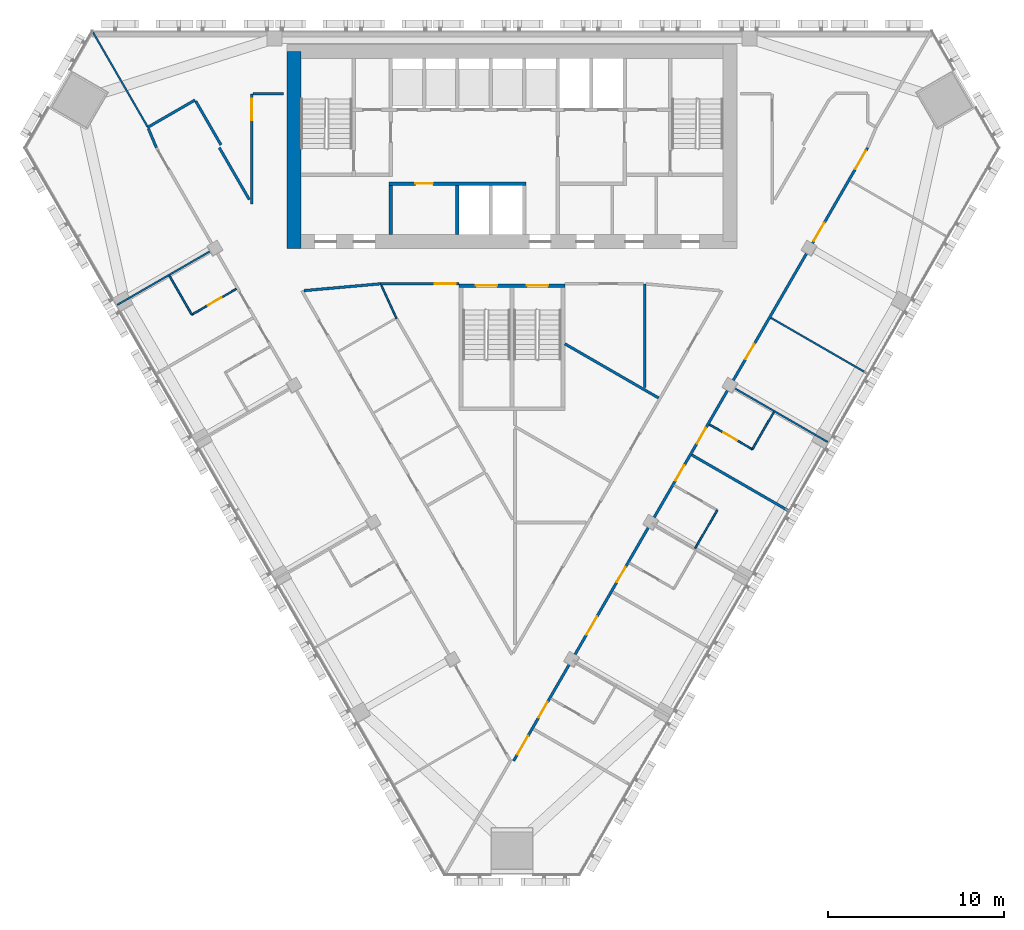
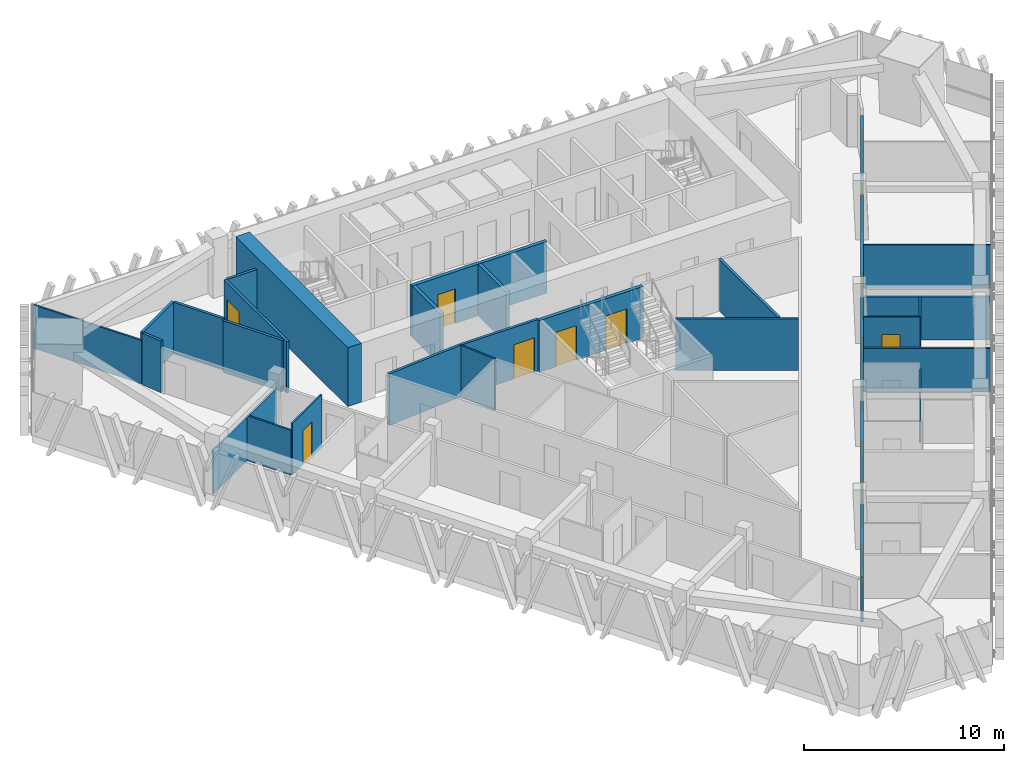
# One storey, part 10 of 16: 27 walls, 16 doors, 16 openings.
"""IFC4 building model written with IfcOpenShell, lengths in metres."""

from ifc_helpers import new_model, si_unit, direction, frame, frame_2d, origin, place, context, subcontext, project, spatial, rectangle, extrude, material, layer, layer_set, type_object, element, fill, save


model = new_model("IFC4")

# Units and contexts
model_context = context("Model", 3, precision=1e-05, world=origin(), true_north=direction((0.0, 1.0)))
body_context = subcontext(model_context, "Body", "Model", "MODEL_VIEW")
ifc_project = project(units=[si_unit("LENGTHUNIT", "METRE"), si_unit("AREAUNIT", "SQUARE_METRE"), si_unit("VOLUMEUNIT", "CUBIC_METRE"), si_unit("PLANEANGLEUNIT", "RADIAN"), si_unit("MASSUNIT", "GRAM", prefix="KILO")], contexts=[model_context])

# Site, building, storey
site_placement = place(None, origin())
site = spatial("IfcSite", under=ifc_project, at=site_placement, CompositionType="ELEMENT")
building_placement = place(site_placement, origin())
building = spatial("IfcBuilding", under=site, at=building_placement, Name="Altiplano Prism Tower", CompositionType="ELEMENT")
storey_placement = place(building_placement, frame((0.0, 0.0, 135.0)))
storey = spatial("IfcBuildingStorey", under=building, at=storey_placement, Name="L34", CompositionType="ELEMENT", Elevation=135.0)

# Wall
ifc_material_1 = material(Name="Concrete C60/75", Category="concrete")
ifc_layer_1 = layer(ifc_material_1, 0.800048828125)
ifc_layer_set_1 = layer_set([ifc_layer_1], Name="Concrete C60/75")
wall_type_1 = type_object("IfcWallType", Name="Core wall 800", PredefinedType="SHEAR", material=ifc_layer_set_1)
wall_1_placement = place(storey_placement, frame((72.60009765625, 103.800048828125, 0.0), z_axis=(0.0, 0.0, 1.0), x_axis=(0.0, -1.0, 0.0)))
element("IfcWall", 1, at=wall_1_placement, inside=storey, type_object=wall_type_1, Name="Core wall W L34", PredefinedType="SHEAR", context=body_context, shape_type="SweptSolid", body=[
    extrude(rectangle(XDim=11.199951171875, YDim=0.800048828125, at=frame_2d((5.60009765625, 0.0))), origin(), (0.0, 0.0, 1.0), 3.60009765625),
])

# Wall, opening, door
ifc_material_2 = material(Name="Plasterboard on steel stud", Category="steel")
ifc_layer_2 = layer(ifc_material_2, 0.10009765625)
ifc_layer_set_2 = layer_set([ifc_layer_2], Name="Plasterboard on steel stud")
wall_type_2 = type_object("IfcWallType", Name="Partition 100 unit", PredefinedType="PARTITIONING", material=ifc_layer_set_2)
wall_2_placement = place(storey_placement, frame((69.327392578125, 90.30859375, 0.0), z_axis=(0.0, 0.0, 1.0), x_axis=(-0.86601045545, -0.500025890382, 0.0)))
wall_2 = element("IfcWall", 2, at=wall_2_placement, inside=storey, type_object=wall_type_2, Name="Partition P02 L34 035", PredefinedType="PARTITIONING", context=body_context, shape_type="SweptSolid", body=[
    extrude(rectangle(XDim=2.925048828125, YDim=0.10009765625, at=frame_2d((1.46240234375, 0.0))), origin(), (0.0, 0.0, 1.0), 3.14990234375),
])
opening_1_placement = place(wall_2_placement, frame((0.97509765625, 0.0, 0.0)))
opening_1 = element("IfcOpeningElement", 3, at=opening_1_placement, cuts=wall_2, Name="Opening D1229", PredefinedType="OPENING", context=body_context, shape_type="SweptSolid", body=[
    extrude(rectangle(XDim=0.89990234375, YDim=2.10009765625, at=frame_2d((0.449951171875, 1.050048828125))), frame((0.0, 0.060546875, 0.0), z_axis=(0.0, -1.0, 0.0), x_axis=(1.0, 0.0, 0.0)), (0.0, 0.0, 1.0), 0.12109375),
])
ifc_material_3 = material(Name="Timber", Category="wood")
door_type_1 = type_object("IfcDoorType", Name="Ensuite door 900 x 2100", OperationType="NOTDEFINED", PredefinedType="NOTDEFINED", material=ifc_material_3)
door_1_placement = place(opening_1_placement, origin())
door_1 = element("IfcDoor", 4, at=door_1_placement, inside=storey, type_object=door_type_1, Name="Door D1229", OperationType="SINGLE_SWING_RIGHT", OverallHeight=2.10009765625, OverallWidth=0.89990234375, PredefinedType="NOTDEFINED", context=body_context, shape_type="SweptSolid", body=[
    extrude(rectangle(XDim=0.89990234375, YDim=2.10009765625, at=frame_2d((0.449951171875, 1.050048828125))), frame((0.0, 0.02490234375, 0.0), z_axis=(0.0, -1.0, 0.0), x_axis=(1.0, 0.0, 0.0)), (0.0, 0.0, 1.0), 0.050048828125),
])
fill(opening_1, door_1)

# Walls
wall_3_placement = place(storey_placement, frame((66.794189453125, 88.845947265625, 0.0), z_axis=(0.0, 0.0, 1.0), x_axis=(-0.499948979701, 0.866054858364, 0.0)))
element("IfcWall", 5, at=wall_3_placement, inside=storey, type_object=wall_type_2, Name="Partition P02 L34 036", PredefinedType="PARTITIONING", context=body_context, shape_type="SweptSolid", body=[
    extrude(rectangle(XDim=2.550048828125, YDim=0.10009765625, at=frame_2d((1.27490234375, 0.0))), origin(), (0.0, 0.0, 1.0), 2.75),
])
wall_4_placement = place(storey_placement, frame((96.669189453125, 77.724365234375, 0.0), z_axis=(0.0, 0.0, 1.0), x_axis=(-0.500004234368, -0.866022959057, 0.0)))
element("IfcWall", 6, at=wall_4_placement, inside=storey, type_object=wall_type_2, Name="Partition P02 L34 058", PredefinedType="PARTITIONING", context=body_context, shape_type="SweptSolid", body=[
    extrude(rectangle(XDim=2.5, YDim=0.10009765625, at=frame_2d((1.25, 0.0))), origin(), (0.0, 0.0, 1.0), 2.75),
])
wall_5_placement = place(storey_placement, frame((99.89404296875, 83.310302734375, 0.0), z_axis=(0.0, 0.0, 1.0), x_axis=(-0.499943856944, -0.866057815567, 0.0)))
element("IfcWall", 7, at=wall_5_placement, inside=storey, type_object=wall_type_2, Name="Partition P02 L34 060", PredefinedType="PARTITIONING", context=body_context, shape_type="SweptSolid", body=[
    extrude(rectangle(XDim=2.449951171875, YDim=0.10009765625, at=frame_2d((1.22509765625, 0.0))), origin(), (0.0, 0.0, 1.0), 2.75),
])

# Wall, opening, door
wall_6_placement = place(storey_placement, frame((98.669189453125, 81.1884765625, 0.0), z_axis=(0.0, 0.0, 1.0), x_axis=(-0.866048868473, 0.499959355765, 0.0)))
wall_6 = element("IfcWall", 8, at=wall_6_placement, inside=storey, type_object=wall_type_2, Name="Partition P02 L34 061", PredefinedType="PARTITIONING", context=body_context, shape_type="SweptSolid", body=[
    extrude(rectangle(XDim=2.824951171875, YDim=0.10009765625, at=frame_2d((1.41259765625, 0.0))), origin(), (0.0, 0.0, 1.0), 3.14990234375),
])
opening_2_placement = place(wall_6_placement, frame((1.0, 0.0, 0.0)))
opening_2 = element("IfcOpeningElement", 9, at=opening_2_placement, cuts=wall_6, Name="Opening D1246", PredefinedType="OPENING", context=body_context, shape_type="SweptSolid", body=[
    extrude(rectangle(XDim=0.89990234375, YDim=2.10009765625, at=frame_2d((0.449951171875, 1.050048828125))), frame((0.0, 0.060546875, 0.0), z_axis=(0.0, -1.0, 0.0), x_axis=(1.0, 0.0, 0.0)), (0.0, 0.0, 1.0), 0.12109375),
])
door_2_placement = place(opening_2_placement, origin())
door_2 = element("IfcDoor", 10, at=door_2_placement, inside=storey, type_object=door_type_1, Name="Door D1246", OperationType="SINGLE_SWING_LEFT", OverallHeight=2.10009765625, OverallWidth=0.89990234375, PredefinedType="NOTDEFINED", context=body_context, shape_type="SweptSolid", body=[
    extrude(rectangle(XDim=0.89990234375, YDim=2.10009765625, at=frame_2d((0.449951171875, 1.050048828125))), frame((0.0, 0.02490234375, 0.0), z_axis=(0.0, -1.0, 0.0), x_axis=(1.0, 0.0, 0.0)), (0.0, 0.0, 1.0), 0.050048828125),
])
fill(opening_2, door_2)

# Walls
ifc_layer_3 = layer(ifc_material_2, 0.10009765625)
ifc_layer_set_3 = layer_set([ifc_layer_3], Name="Plasterboard on steel stud")
wall_type_3 = type_object("IfcWallType", Name="Partition 100 wet", PredefinedType="PARTITIONING", material=ifc_layer_set_3)
wall_7_placement = place(storey_placement, frame((78.432861328125, 88.633544921875, 0.0), z_axis=(0.0, 0.0, 1.0), x_axis=(-0.4178390232, 0.908521078837, 0.0)))
element("IfcWall", 11, at=wall_7_placement, inside=storey, type_object=wall_type_3, Name="Partition P03 L34 024", PredefinedType="PARTITIONING", context=body_context, shape_type="SweptSolid", body=[
    extrude(rectangle(XDim=2.057861328125, YDim=0.10009765625, at=frame_2d((1.02880859375, 0.0))), origin(), (0.0, 0.0, 1.0), 3.14990234375),
])
wall_8_placement = place(storey_placement, frame((62.5498046875, 89.397705078125, 0.0), z_axis=(0.0, 0.0, 1.0), x_axis=(0.866015887322, 0.500016482634, 0.0)))
element("IfcWall", 12, at=wall_8_placement, inside=storey, type_object=wall_type_3, Name="Partition P03 L34 033", PredefinedType="PARTITIONING", context=body_context, shape_type="SweptSolid", body=[
    extrude(rectangle(XDim=6.324951171875, YDim=0.10009765625, at=frame_2d((3.16259765625, 0.0))), origin(), (0.0, 0.0, 1.0), 2.64990234375),
])
wall_9_placement = place(storey_placement, frame((64.292724609375, 99.5, 0.0), z_axis=(0.0, 0.0, 1.0), x_axis=(-0.500004896655, 0.866022576681, 0.0)))
element("IfcWall", 13, at=wall_9_placement, inside=storey, type_object=wall_type_3, Name="Partition P03 L34 034", PredefinedType="PARTITIONING", context=body_context, shape_type="SweptSolid", body=[
    extrude(rectangle(XDim=6.2353515625, YDim=0.10009765625, at=frame_2d((3.11767578125, 0.0))), origin(), (0.0, 0.0, 1.0), 2.64990234375),
])
wall_10_placement = place(storey_placement, frame((102.9501953125, 81.603515625, 0.0), z_axis=(0.0, 0.0, 1.0), x_axis=(-0.866015887322, 0.500016482634, 0.0)))
element("IfcWall", 14, at=wall_10_placement, inside=storey, type_object=wall_type_3, Name="Partition P03 L34 062", PredefinedType="PARTITIONING", context=body_context, shape_type="SweptSolid", body=[
    extrude(rectangle(XDim=6.324951171875, YDim=0.10009765625, at=frame_2d((3.16259765625, 0.0))), origin(), (0.0, 0.0, 1.0), 2.64990234375),
])
wall_11_placement = place(storey_placement, frame((105.2177734375, 85.490478515625, 0.0), z_axis=(0.0, 0.0, 1.0), x_axis=(-0.866025401434, 0.500000004071, 0.0)))
element("IfcWall", 15, at=wall_11_placement, inside=storey, type_object=wall_type_3, Name="Partition P03 L34 063", PredefinedType="PARTITIONING", context=body_context, shape_type="SweptSolid", body=[
    extrude(rectangle(XDim=6.34521484375, YDim=0.10009765625, at=frame_2d((3.172607421875, 0.0))), origin(), (0.0, 0.0, 1.0), 2.64990234375),
])
ifc_layer_4 = layer(ifc_material_2, 0.14990234375)
ifc_layer_set_4 = layer_set([ifc_layer_4], Name="Plasterboard on steel stud")
wall_type_4 = type_object("IfcWallType", Name="Partition 150 corridor", PredefinedType="PARTITIONING", material=ifc_layer_set_4)
wall_12_placement = place(storey_placement, frame((73.17333984375, 90.21044921875, 0.0), z_axis=(0.0, 0.0, 1.0), x_axis=(0.996042384303, 0.088879517729, 0.0)))
element("IfcWall", 16, at=wall_12_placement, inside=storey, type_object=wall_type_4, Name="Partition P06 L34 001", PredefinedType="PARTITIONING", context=body_context, shape_type="SweptSolid", body=[
    extrude(rectangle(XDim=4.373046875, YDim=0.14990234375, at=frame_2d((2.1865234375, 0.0))), origin(), (0.0, 0.0, 1.0), 3.14990234375),
])
wall_13_placement = place(storey_placement, frame((64.3212890625, 99.431396484375, 0.0), z_axis=(0.0, 0.0, 1.0), x_axis=(0.385435693092, -0.92273469995, 0.0)))
element("IfcWall", 17, at=wall_13_placement, inside=storey, type_object=wall_type_4, Name="Partition P06 L34 003", PredefinedType="PARTITIONING", context=body_context, shape_type="SweptSolid", body=[
    extrude(rectangle(XDim=1.18310546875, YDim=0.14990234375, at=frame_2d((0.591552734375, 0.0))), origin(), (0.0, 0.0, 1.0), 3.14990234375),
])

# Wall, openings, doors
wall_14_placement = place(storey_placement, frame((85.0927734375, 63.473388671875, 0.0), z_axis=(0.0, 0.0, 1.0), x_axis=(0.499997513821, 0.866026839176, 0.0)))
wall_14 = element("IfcWall", 18, at=wall_14_placement, inside=storey, type_object=wall_type_4, Name="Partition P06 L34 005", PredefinedType="PARTITIONING", context=body_context, shape_type="SweptSolid", body=[
    extrude(rectangle(XDim=40.260009765625, YDim=0.14990234375, at=frame_2d((20.1298828125, 0.0))), origin(), (0.0, 0.0, 1.0), 2.75),
])
opening_3_placement = place(wall_14_placement, frame((0.428955078125, 0.0, 0.0)))
opening_3 = element("IfcOpeningElement", 19, at=opening_3_placement, cuts=wall_14, Name="Opening D1237", PredefinedType="OPENING", context=body_context, shape_type="SweptSolid", body=[
    extrude(rectangle(XDim=1.199951171875, YDim=2.10009765625, at=frame_2d((0.60009765625, 1.050048828125))), frame((0.0, 0.08544921875, 0.0), z_axis=(0.0, -1.0, 0.0), x_axis=(1.0, 0.0, 0.0)), (0.0, 0.0, 1.0), 0.1708984375),
])
opening_4_placement = place(wall_14_placement, frame((2.85009765625, 0.0, 0.0)))
opening_4 = element("IfcOpeningElement", 20, at=opening_4_placement, cuts=wall_14, Name="Opening D1238", PredefinedType="OPENING", context=body_context, shape_type="SweptSolid", body=[
    extrude(rectangle(XDim=1.0, YDim=2.10009765625, at=frame_2d((0.5, 1.050048828125))), frame((0.0, 0.08544921875, 0.0), z_axis=(0.0, -1.0, 0.0), x_axis=(1.0, 0.0, 0.0)), (0.0, 0.0, 1.0), 0.1708984375),
])
opening_5_placement = place(wall_14_placement, frame((8.280029296875, 0.0, 0.0)))
opening_5 = element("IfcOpeningElement", 21, at=opening_5_placement, cuts=wall_14, Name="Opening D1240", PredefinedType="OPENING", context=body_context, shape_type="SweptSolid", body=[
    extrude(rectangle(XDim=1.199951171875, YDim=2.10009765625, at=frame_2d((0.60009765625, 1.050048828125))), frame((0.0, 0.08544921875, 0.0), z_axis=(0.0, -1.0, 0.0), x_axis=(1.0, 0.0, 0.0)), (0.0, 0.0, 1.0), 0.1708984375),
])
opening_6_placement = place(wall_14_placement, frame((11.735107421875, 0.0, 0.0)))
opening_6 = element("IfcOpeningElement", 22, at=opening_6_placement, cuts=wall_14, Name="Opening D1241", PredefinedType="OPENING", context=body_context, shape_type="SweptSolid", body=[
    extrude(rectangle(XDim=1.0, YDim=2.10009765625, at=frame_2d((0.5, 1.050048828125))), frame((0.0, 0.08544921875, 0.0), z_axis=(0.0, -1.0, 0.0), x_axis=(1.0, 0.0, 0.0)), (0.0, 0.0, 1.0), 0.1708984375),
])
opening_7_placement = place(wall_14_placement, frame((18.409912109375, 0.0, 0.0)))
opening_7 = element("IfcOpeningElement", 23, at=opening_7_placement, cuts=wall_14, Name="Opening D1243", PredefinedType="OPENING", context=body_context, shape_type="SweptSolid", body=[
    extrude(rectangle(XDim=1.0, YDim=2.10009765625, at=frame_2d((0.5, 1.050048828125))), frame((0.0, 0.08544921875, 0.0), z_axis=(0.0, -1.0, 0.0), x_axis=(1.0, 0.0, 0.0)), (0.0, 0.0, 1.0), 0.1708984375),
])
opening_8_placement = place(wall_14_placement, frame((20.85009765625, 0.0, 0.0)))
opening_8 = element("IfcOpeningElement", 24, at=opening_8_placement, cuts=wall_14, Name="Opening D1245", PredefinedType="OPENING", context=body_context, shape_type="SweptSolid", body=[
    extrude(rectangle(XDim=1.0, YDim=2.10009765625, at=frame_2d((0.5, 1.050048828125))), frame((0.0, 0.08544921875, 0.0), z_axis=(0.0, -1.0, 0.0), x_axis=(1.0, 0.0, 0.0)), (0.0, 0.0, 1.0), 0.1708984375),
])
opening_9_placement = place(wall_14_placement, frame((26.3798828125, 0.0, 0.0)))
opening_9 = element("IfcOpeningElement", 25, at=opening_9_placement, cuts=wall_14, Name="Opening D1247", PredefinedType="OPENING", context=body_context, shape_type="SweptSolid", body=[
    extrude(rectangle(XDim=1.0, YDim=2.10009765625, at=frame_2d((0.5, 1.050048828125))), frame((0.0, 0.08544921875, 0.0), z_axis=(0.0, -1.0, 0.0), x_axis=(1.0, 0.0, 0.0)), (0.0, 0.0, 1.0), 0.1708984375),
])
opening_10_placement = place(wall_14_placement, frame((34.1298828125, 0.0, 0.0)))
opening_10 = element("IfcOpeningElement", 26, at=opening_10_placement, cuts=wall_14, Name="Opening D1248", PredefinedType="OPENING", context=body_context, shape_type="SweptSolid", body=[
    extrude(rectangle(XDim=1.199951171875, YDim=2.10009765625, at=frame_2d((0.60009765625, 1.050048828125))), frame((0.0, 0.08544921875, 0.0), z_axis=(0.0, -1.0, 0.0), x_axis=(1.0, 0.0, 0.0)), (0.0, 0.0, 1.0), 0.1708984375),
])
opening_11_placement = place(wall_14_placement, frame((38.860107421875, 0.0, 0.0)))
opening_11 = element("IfcOpeningElement", 27, at=opening_11_placement, cuts=wall_14, Name="Opening D1249", PredefinedType="OPENING", context=body_context, shape_type="SweptSolid", body=[
    extrude(rectangle(XDim=1.199951171875, YDim=2.10009765625, at=frame_2d((0.60009765625, 1.050048828125))), frame((0.0, 0.08544921875, 0.0), z_axis=(0.0, -1.0, 0.0), x_axis=(1.0, 0.0, 0.0)), (0.0, 0.0, 1.0), 0.1708984375),
])
door_type_2 = type_object("IfcDoorType", Name="Bedroom entrance door 1000 x 2100", OperationType="NOTDEFINED", PredefinedType="NOTDEFINED", material=ifc_material_3)
door_3_placement = place(opening_4_placement, origin())
door_3 = element("IfcDoor", 28, at=door_3_placement, inside=storey, type_object=door_type_2, Name="Door D1238", OperationType="SINGLE_SWING_RIGHT", OverallHeight=2.10009765625, OverallWidth=1.0, PredefinedType="NOTDEFINED", context=body_context, shape_type="SweptSolid", body=[
    extrude(rectangle(XDim=1.0, YDim=2.10009765625, at=frame_2d((0.5, 1.050048828125))), frame((0.0, 0.02490234375, 0.0), z_axis=(0.0, -1.0, 0.0), x_axis=(1.0, 0.0, 0.0)), (0.0, 0.0, 1.0), 0.050048828125),
])
fill(opening_4, door_3)
door_4_placement = place(opening_6_placement, origin())
door_4 = element("IfcDoor", 29, at=door_4_placement, inside=storey, type_object=door_type_2, Name="Door D1241", OperationType="SINGLE_SWING_LEFT", OverallHeight=2.10009765625, OverallWidth=1.0, PredefinedType="NOTDEFINED", context=body_context, shape_type="SweptSolid", body=[
    extrude(rectangle(XDim=1.0, YDim=2.10009765625, at=frame_2d((0.5, 1.050048828125))), frame((0.0, 0.02490234375, 0.0), z_axis=(0.0, -1.0, 0.0), x_axis=(1.0, 0.0, 0.0)), (0.0, 0.0, 1.0), 0.050048828125),
])
fill(opening_6, door_4)
door_5_placement = place(opening_7_placement, origin())
door_5 = element("IfcDoor", 30, at=door_5_placement, inside=storey, type_object=door_type_2, Name="Door D1243", OperationType="SINGLE_SWING_LEFT", OverallHeight=2.10009765625, OverallWidth=1.0, PredefinedType="NOTDEFINED", context=body_context, shape_type="SweptSolid", body=[
    extrude(rectangle(XDim=1.0, YDim=2.10009765625, at=frame_2d((0.5, 1.050048828125))), frame((0.0, 0.02490234375, 0.0), z_axis=(0.0, -1.0, 0.0), x_axis=(1.0, 0.0, 0.0)), (0.0, 0.0, 1.0), 0.050048828125),
])
fill(opening_7, door_5)
door_6_placement = place(opening_8_placement, origin())
door_6 = element("IfcDoor", 31, at=door_6_placement, inside=storey, type_object=door_type_2, Name="Door D1245", OperationType="SINGLE_SWING_LEFT", OverallHeight=2.10009765625, OverallWidth=1.0, PredefinedType="NOTDEFINED", context=body_context, shape_type="SweptSolid", body=[
    extrude(rectangle(XDim=1.0, YDim=2.10009765625, at=frame_2d((0.5, 1.050048828125))), frame((0.0, 0.02490234375, 0.0), z_axis=(0.0, -1.0, 0.0), x_axis=(1.0, 0.0, 0.0)), (0.0, 0.0, 1.0), 0.050048828125),
])
fill(opening_8, door_6)
door_type_3 = type_object("IfcDoorType", Name="Room door 1000 x 2100", OperationType="NOTDEFINED", PredefinedType="NOTDEFINED", material=ifc_material_3)
door_7_placement = place(opening_9_placement, origin())
door_7 = element("IfcDoor", 32, at=door_7_placement, inside=storey, type_object=door_type_3, Name="Door D1247", OperationType="SINGLE_SWING_RIGHT", OverallHeight=2.10009765625, OverallWidth=1.0, PredefinedType="NOTDEFINED", context=body_context, shape_type="SweptSolid", body=[
    extrude(rectangle(XDim=1.0, YDim=2.10009765625, at=frame_2d((0.5, 1.050048828125))), frame((0.0, 0.02490234375, 0.0), z_axis=(0.0, -1.0, 0.0), x_axis=(1.0, 0.0, 0.0)), (0.0, 0.0, 1.0), 0.050048828125),
])
fill(opening_9, door_7)
door_type_4 = type_object("IfcDoorType", Name="Shared room door 1200 x 2100", OperationType="NOTDEFINED", PredefinedType="NOTDEFINED", material=ifc_material_3)
door_8_placement = place(opening_3_placement, origin())
door_8 = element("IfcDoor", 33, at=door_8_placement, inside=storey, type_object=door_type_4, Name="Door D1237", OperationType="SINGLE_SWING_RIGHT", OverallHeight=2.10009765625, OverallWidth=1.199951171875, PredefinedType="NOTDEFINED", context=body_context, shape_type="SweptSolid", body=[
    extrude(rectangle(XDim=1.199951171875, YDim=2.10009765625, at=frame_2d((0.60009765625, 1.050048828125))), frame((0.0, 0.02490234375, 0.0), z_axis=(0.0, -1.0, 0.0), x_axis=(1.0, 0.0, 0.0)), (0.0, 0.0, 1.0), 0.050048828125),
])
fill(opening_3, door_8)
door_9_placement = place(opening_5_placement, origin())
door_9 = element("IfcDoor", 34, at=door_9_placement, inside=storey, type_object=door_type_4, Name="Door D1240", OperationType="SINGLE_SWING_LEFT", OverallHeight=2.10009765625, OverallWidth=1.199951171875, PredefinedType="NOTDEFINED", context=body_context, shape_type="SweptSolid", body=[
    extrude(rectangle(XDim=1.199951171875, YDim=2.10009765625, at=frame_2d((0.60009765625, 1.050048828125))), frame((0.0, 0.02490234375, 0.0), z_axis=(0.0, -1.0, 0.0), x_axis=(1.0, 0.0, 0.0)), (0.0, 0.0, 1.0), 0.050048828125),
])
fill(opening_5, door_9)
door_10_placement = place(opening_10_placement, origin())
door_10 = element("IfcDoor", 35, at=door_10_placement, inside=storey, type_object=door_type_4, Name="Door D1248", OperationType="SINGLE_SWING_RIGHT", OverallHeight=2.10009765625, OverallWidth=1.199951171875, PredefinedType="NOTDEFINED", context=body_context, shape_type="SweptSolid", body=[
    extrude(rectangle(XDim=1.199951171875, YDim=2.10009765625, at=frame_2d((0.60009765625, 1.050048828125))), frame((0.0, 0.02490234375, 0.0), z_axis=(0.0, -1.0, 0.0), x_axis=(1.0, 0.0, 0.0)), (0.0, 0.0, 1.0), 0.050048828125),
])
fill(opening_10, door_10)
door_11_placement = place(opening_11_placement, origin())
door_11 = element("IfcDoor", 36, at=door_11_placement, inside=storey, type_object=door_type_4, Name="Door D1249", OperationType="SINGLE_SWING_RIGHT", OverallHeight=2.10009765625, OverallWidth=1.199951171875, PredefinedType="NOTDEFINED", context=body_context, shape_type="SweptSolid", body=[
    extrude(rectangle(XDim=1.199951171875, YDim=2.10009765625, at=frame_2d((0.60009765625, 1.050048828125))), frame((0.0, 0.02490234375, 0.0), z_axis=(0.0, -1.0, 0.0), x_axis=(1.0, 0.0, 0.0)), (0.0, 0.0, 1.0), 0.050048828125),
])
fill(opening_11, door_11)

# Wall
wall_15_placement = place(storey_placement, frame((72.0, 101.39990234375, 0.0), z_axis=(0.0, 0.0, 1.0), x_axis=(-1.0, 0.0, 0.0)))
element("IfcWall", 37, at=wall_15_placement, inside=storey, type_object=wall_type_4, Name="Partition P06 L34 007", PredefinedType="PARTITIONING", context=body_context, shape_type="SweptSolid", body=[
    extrude(rectangle(XDim=1.72509765625, YDim=0.14990234375, at=frame_2d((0.862548828125, 0.0))), origin(), (0.0, 0.0, 1.0), 3.14990234375),
])

# Wall, opening, door
wall_16_placement = place(storey_placement, frame((70.199951171875, 101.39990234375, 0.0), z_axis=(0.0, 0.0, 1.0), x_axis=(0.0, -1.0, 0.0)))
wall_16 = element("IfcWall", 38, at=wall_16_placement, inside=storey, type_object=wall_type_4, Name="Partition P06 L34 008", PredefinedType="PARTITIONING", context=body_context, shape_type="SweptSolid", body=[
    extrude(rectangle(XDim=6.252685546875, YDim=0.14990234375, at=frame_2d((3.12646484375, 0.0))), origin(), (0.0, 0.0, 1.0), 3.14990234375),
])
opening_12_placement = place(wall_16_placement, frame((0.2890625, 0.0, 0.0)))
opening_12 = element("IfcOpeningElement", 39, at=opening_12_placement, cuts=wall_16, Name="Opening D1250", PredefinedType="OPENING", context=body_context, shape_type="SweptSolid", body=[
    extrude(rectangle(XDim=1.199951171875, YDim=2.10009765625, at=frame_2d((0.60009765625, 1.050048828125))), frame((0.0, 0.08544921875, 0.0), z_axis=(0.0, -1.0, 0.0), x_axis=(1.0, 0.0, 0.0)), (0.0, 0.0, 1.0), 0.1708984375),
])
door_12_placement = place(opening_12_placement, origin())
door_12 = element("IfcDoor", 40, at=door_12_placement, inside=storey, type_object=door_type_4, Name="Door D1250", OperationType="SINGLE_SWING_RIGHT", OverallHeight=2.10009765625, OverallWidth=1.199951171875, PredefinedType="NOTDEFINED", context=body_context, shape_type="SweptSolid", body=[
    extrude(rectangle(XDim=1.199951171875, YDim=2.10009765625, at=frame_2d((0.60009765625, 1.050048828125))), frame((0.0, 0.02490234375, 0.0), z_axis=(0.0, -1.0, 0.0), x_axis=(1.0, 0.0, 0.0)), (0.0, 0.0, 1.0), 0.050048828125),
])
fill(opening_12, door_12)

# Walls
wall_17_placement = place(storey_placement, frame((70.06005859375, 95.389404296875, 0.0), z_axis=(0.0, 0.0, 1.0), x_axis=(-0.499962338254, 0.866047146712, 0.0)))
element("IfcWall", 41, at=wall_17_placement, inside=storey, type_object=wall_type_4, Name="Partition P06 L34 009", PredefinedType="PARTITIONING", context=body_context, shape_type="SweptSolid", body=[
    extrude(rectangle(XDim=3.406494140625, YDim=0.14990234375, at=frame_2d((1.703125, 0.0))), origin(), (0.0, 0.0, 1.0), 3.14990234375),
])
wall_18_placement = place(storey_placement, frame((68.449462890625, 98.5, 0.0), z_axis=(0.0, 0.0, 1.0), x_axis=(-0.499945861543, 0.866056658381, 0.0)))
element("IfcWall", 42, at=wall_18_placement, inside=storey, type_object=wall_type_4, Name="Partition P06 L34 010", PredefinedType="PARTITIONING", context=body_context, shape_type="SweptSolid", body=[
    extrude(rectangle(XDim=2.869384765625, YDim=0.14990234375, at=frame_2d((1.4345703125, 0.0))), origin(), (0.0, 0.0, 1.0), 3.14990234375),
])
wall_19_placement = place(storey_placement, frame((66.977294921875, 101.050048828125, 0.0), z_axis=(0.0, 0.0, 1.0), x_axis=(-0.86600983753, -0.500026960575, 0.0)))
element("IfcWall", 43, at=wall_19_placement, inside=storey, type_object=wall_type_4, Name="Partition P06 L34 011", PredefinedType="PARTITIONING", context=body_context, shape_type="SweptSolid", body=[
    extrude(rectangle(XDim=3.099853515625, YDim=0.14990234375, at=frame_2d((1.5498046875, 0.0))), origin(), (0.0, 0.0, 1.0), 3.14990234375),
])

# Wall, opening, door
wall_20_placement = place(storey_placement, frame((77.529052734375, 90.59912109375, 0.0), z_axis=(0.0, 0.0, 1.0), x_axis=(0.999999976145, 0.000218424065, 0.0)))
wall_20 = element("IfcWall", 44, at=wall_20_placement, inside=storey, type_object=wall_type_4, Name="Partition P06 L34 020", PredefinedType="PARTITIONING", context=body_context, shape_type="SweptSolid", body=[
    extrude(rectangle(XDim=4.470947265625, YDim=0.14990234375, at=frame_2d((2.2353515625, 0.0))), origin(), (0.0, 0.0, 1.0), 3.14990234375),
])
opening_13_placement = place(wall_20_placement, frame((3.071044921875, 0.0, 0.0)))
opening_13 = element("IfcOpeningElement", 45, at=opening_13_placement, cuts=wall_20, Name="Opening D1253", PredefinedType="OPENING", context=body_context, shape_type="SweptSolid", body=[
    extrude(rectangle(XDim=1.199951171875, YDim=2.10009765625, at=frame_2d((0.60009765625, 1.050048828125))), frame((0.0, 0.08544921875, 0.0), z_axis=(0.0, -1.0, 0.0), x_axis=(1.0, 0.0, 0.0)), (0.0, 0.0, 1.0), 0.1708984375),
])
door_13_placement = place(opening_13_placement, origin())
door_13 = element("IfcDoor", 46, at=door_13_placement, inside=storey, type_object=door_type_4, Name="Door D1253", OperationType="SINGLE_SWING_LEFT", OverallHeight=2.10009765625, OverallWidth=1.199951171875, PredefinedType="NOTDEFINED", context=body_context, shape_type="SweptSolid", body=[
    extrude(rectangle(XDim=1.199951171875, YDim=2.10009765625, at=frame_2d((0.60009765625, 1.050048828125))), frame((0.0, 0.02490234375, 0.0), z_axis=(0.0, -1.0, 0.0), x_axis=(1.0, 0.0, 0.0)), (0.0, 0.0, 1.0), 0.050048828125),
])
fill(opening_13, door_13)

# Walls
ifc_layer_5 = layer(ifc_material_2, 0.14990234375)
ifc_layer_set_5 = layer_set([ifc_layer_5], Name="Plasterboard on steel stud")
wall_type_5 = type_object("IfcWallType", Name="Partition 150 party", PredefinedType="PARTITIONING", material=ifc_layer_set_5)
wall_21_placement = place(storey_placement, frame((100.7177734375, 77.6962890625, 0.0), z_axis=(0.0, 0.0, 1.0), x_axis=(-0.866025401434, 0.500000004071, 0.0)))
element("IfcWall", 47, at=wall_21_placement, inside=storey, type_object=wall_type_5, Name="Partition P01 L34 059", PredefinedType="PARTITIONING", context=body_context, shape_type="SweptSolid", body=[
    extrude(rectangle(XDim=6.34521484375, YDim=0.14990234375, at=frame_2d((3.172607421875, 0.0))), origin(), (0.0, 0.0, 1.0), 2.64990234375),
])
wall_22_placement = place(storey_placement, frame((93.338623046875, 84.105712890625, 0.0), z_axis=(0.0, 0.0, 1.0), x_axis=(-0.866024003323, 0.500002425662, 0.0)))
element("IfcWall", 48, at=wall_22_placement, inside=storey, type_object=wall_type_5, Name="Partition P01 L34 068", PredefinedType="PARTITIONING", context=body_context, shape_type="SweptSolid", body=[
    extrude(rectangle(XDim=6.16455078125, YDim=0.14990234375, at=frame_2d((3.082275390625, 0.0))), origin(), (0.0, 0.0, 1.0), 3.14990234375),
])
wall_23_placement = place(storey_placement, frame((92.538818359375, 84.697265625, 0.0), z_axis=(0.0, 0.0, 1.0), x_axis=(0.0, 1.0, 0.0)))
element("IfcWall", 49, at=wall_23_placement, inside=storey, type_object=wall_type_5, Name="Partition P01 L34 072", PredefinedType="PARTITIONING", context=body_context, shape_type="SweptSolid", body=[
    extrude(rectangle(XDim=5.90185546875, YDim=0.14990234375, at=frame_2d((2.950927734375, 0.0))), origin(), (0.0, 0.0, 1.0), 3.14990234375),
])
ifc_layer_6 = layer(ifc_material_1, 0.199951171875)
ifc_layer_set_6 = layer_set([ifc_layer_6], Name="Concrete C60/75")
wall_type_6 = type_object("IfcWallType", Name="Shaft wall 200", PredefinedType="SOLIDWALL", material=ifc_layer_set_6)
wall_24_placement = place(storey_placement, frame((81.89990234375, 93.39990234375, 0.0), z_axis=(0.0, 0.0, 1.0), x_axis=(0.0, 1.0, 0.0)))
element("IfcWall", 50, at=wall_24_placement, inside=storey, type_object=wall_type_6, Name="Shaft wall L34", PredefinedType="SOLIDWALL", context=body_context, shape_type="SweptSolid", body=[
    extrude(rectangle(XDim=2.800048828125, YDim=0.199951171875, at=frame_2d((1.39990234375, 0.0))), origin(), (0.0, 0.0, 1.0), 3.14990234375),
])

# Wall, opening, door
wall_25_placement = place(storey_placement, frame((78.0, 96.300048828125, 0.0), z_axis=(0.0, 0.0, 1.0), x_axis=(1.0, 0.0, 0.0)))
wall_25 = element("IfcWall", 51, at=wall_25_placement, inside=storey, type_object=wall_type_6, Name="Shaft wall L34", PredefinedType="SOLIDWALL", context=body_context, shape_type="SweptSolid", body=[
    extrude(rectangle(XDim=7.800048828125, YDim=0.199951171875, at=frame_2d((3.89990234375, 0.0))), origin(), (0.0, 0.0, 1.0), 3.14990234375),
])
opening_14_placement = place(wall_25_placement, frame((1.5, 0.0, 0.0)))
opening_14 = element("IfcOpeningElement", 52, at=opening_14_placement, cuts=wall_25, Name="Opening D3052", PredefinedType="OPENING", context=body_context, shape_type="SweptSolid", body=[
    extrude(rectangle(XDim=1.0, YDim=2.10009765625, at=frame_2d((0.5, 1.050048828125))), frame((0.0, 0.1103515625, 0.0), z_axis=(0.0, -1.0, 0.0), x_axis=(1.0, 0.0, 0.0)), (0.0, 0.0, 1.0), 0.220947265625),
])
ifc_material_4 = material(Name="Fire-rated steel door", Category="steel")
door_type_5 = type_object("IfcDoorType", Name="Core room door 1000 x 2100", OperationType="NOTDEFINED", PredefinedType="NOTDEFINED", material=ifc_material_4)
door_14_placement = place(opening_14_placement, origin())
door_14 = element("IfcDoor", 53, at=door_14_placement, inside=storey, type_object=door_type_5, Name="Core room door D3052", OperationType="SINGLE_SWING_RIGHT", OverallHeight=2.10009765625, OverallWidth=1.0, PredefinedType="NOTDEFINED", context=body_context, shape_type="SweptSolid", body=[
    extrude(rectangle(XDim=1.0, YDim=2.10009765625, at=frame_2d((0.5, 1.050048828125))), frame((0.0, 0.02490234375, 0.0), z_axis=(0.0, -1.0, 0.0), x_axis=(1.0, 0.0, 0.0)), (0.0, 0.0, 1.0), 0.050048828125),
])
fill(opening_14, door_14)

# Wall, openings, doors
ifc_layer_7 = layer(ifc_material_1, 0.199951171875)
ifc_layer_set_7 = layer_set([ifc_layer_7], Name="Concrete C60/75")
wall_type_7 = type_object("IfcWallType", Name="Stair wall 200", PredefinedType="SOLIDWALL", material=ifc_layer_set_7)
wall_26_placement = place(storey_placement, frame((82.0, 90.5, 0.0), z_axis=(0.0, 0.0, 1.0), x_axis=(1.0, 0.0, 0.0)))
wall_26 = element("IfcWall", 54, at=wall_26_placement, inside=storey, type_object=wall_type_7, Name="Stair 3 wall north L34", PredefinedType="SOLIDWALL", context=body_context, shape_type="SweptSolid", body=[
    extrude(rectangle(XDim=6.0, YDim=0.199951171875, at=frame_2d((3.0, 0.0))), origin(), (0.0, 0.0, 1.0), 3.14990234375),
])
opening_15_placement = place(wall_26_placement, frame((0.949951171875, 0.0, 0.0)))
opening_15 = element("IfcOpeningElement", 55, at=opening_15_placement, cuts=wall_26, Name="Opening D3990", PredefinedType="OPENING", context=body_context, shape_type="SweptSolid", body=[
    extrude(rectangle(XDim=1.199951171875, YDim=2.10009765625, at=frame_2d((0.60009765625, 1.050048828125))), frame((0.0, 0.1103515625, 0.0), z_axis=(0.0, -1.0, 0.0), x_axis=(1.0, 0.0, 0.0)), (0.0, 0.0, 1.0), 0.220947265625),
])
opening_16_placement = place(wall_26_placement, frame((3.85009765625, 0.0, 0.0)))
opening_16 = element("IfcOpeningElement", 56, at=opening_16_placement, cuts=wall_26, Name="Opening D3991", PredefinedType="OPENING", context=body_context, shape_type="SweptSolid", body=[
    extrude(rectangle(XDim=1.199951171875, YDim=2.10009765625, at=frame_2d((0.60009765625, 1.050048828125))), frame((0.0, 0.1103515625, 0.0), z_axis=(0.0, -1.0, 0.0), x_axis=(1.0, 0.0, 0.0)), (0.0, 0.0, 1.0), 0.220947265625),
])
door_type_6 = type_object("IfcDoorType", Name="Stair fire door 1200 x 2100", OperationType="NOTDEFINED", PredefinedType="NOTDEFINED", material=ifc_material_4)
door_15_placement = place(opening_15_placement, origin())
door_15 = element("IfcDoor", 57, at=door_15_placement, inside=storey, type_object=door_type_6, Name="Stair fire door D3990", OperationType="SINGLE_SWING_LEFT", OverallHeight=2.10009765625, OverallWidth=1.199951171875, PredefinedType="NOTDEFINED", context=body_context, shape_type="SweptSolid", body=[
    extrude(rectangle(XDim=1.199951171875, YDim=2.10009765625, at=frame_2d((0.60009765625, 1.050048828125))), frame((0.0, 0.02490234375, 0.0), z_axis=(0.0, -1.0, 0.0), x_axis=(1.0, 0.0, 0.0)), (0.0, 0.0, 1.0), 0.050048828125),
])
fill(opening_15, door_15)
door_16_placement = place(opening_16_placement, origin())
door_16 = element("IfcDoor", 58, at=door_16_placement, inside=storey, type_object=door_type_6, Name="Stair fire door D3991", OperationType="SINGLE_SWING_LEFT", OverallHeight=2.10009765625, OverallWidth=1.199951171875, PredefinedType="NOTDEFINED", context=body_context, shape_type="SweptSolid", body=[
    extrude(rectangle(XDim=1.199951171875, YDim=2.10009765625, at=frame_2d((0.60009765625, 1.050048828125))), frame((0.0, 0.02490234375, 0.0), z_axis=(0.0, -1.0, 0.0), x_axis=(1.0, 0.0, 0.0)), (0.0, 0.0, 1.0), 0.050048828125),
])
fill(opening_16, door_16)

# Wall
ifc_layer_8 = layer(ifc_material_1, 0.199951171875)
ifc_layer_set_8 = layer_set([ifc_layer_8], Name="Concrete C60/75")
wall_type_8 = type_object("IfcWallType", Name="Vestibule wall 200", PredefinedType="PARTITIONING", material=ifc_layer_set_8)
wall_27_placement = place(storey_placement, frame((78.10009765625, 93.39990234375, 0.0), z_axis=(0.0, 0.0, 1.0), x_axis=(0.0, 1.0, 0.0)))
element("IfcWall", 59, at=wall_27_placement, inside=storey, type_object=wall_type_8, Name="Vestibule wall L34", PredefinedType="PARTITIONING", context=body_context, shape_type="SweptSolid", body=[
    extrude(rectangle(XDim=2.800048828125, YDim=0.199951171875, at=frame_2d((1.39990234375, 0.0))), origin(), (0.0, 0.0, 1.0), 3.14990234375),
])

save(model, "model.ifc")
